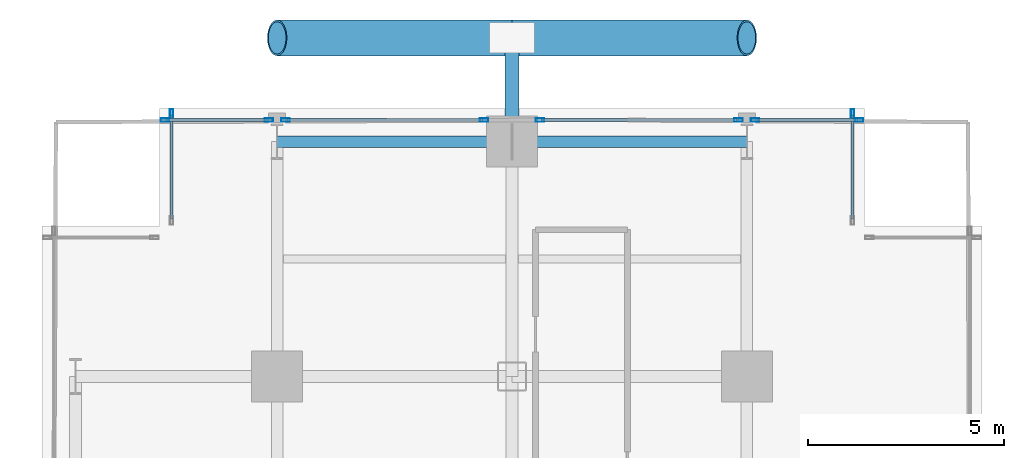
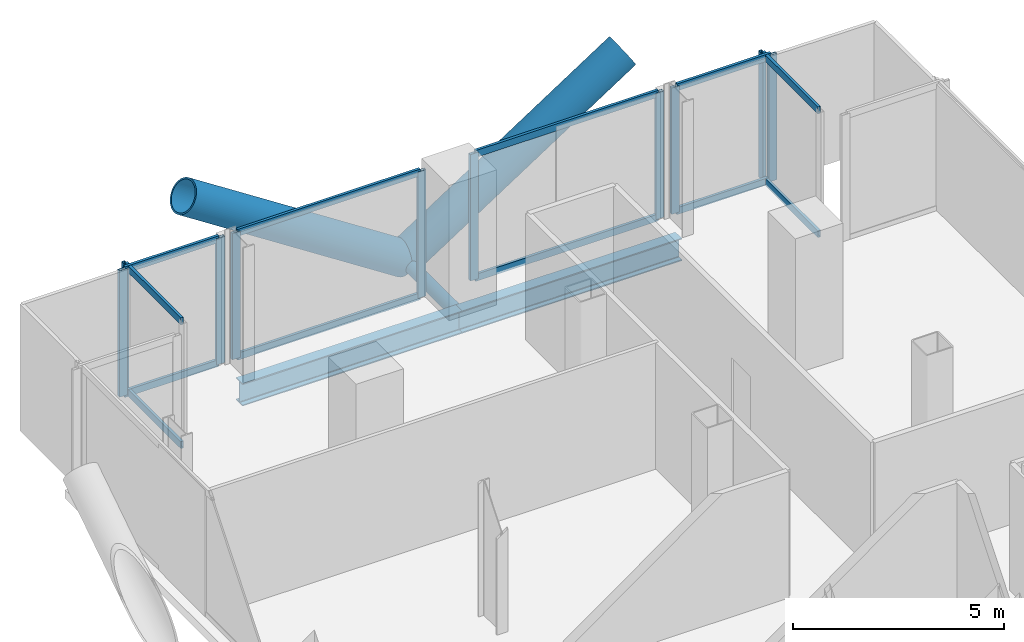
# One storey, part 16 of 25: 25 members, 2 beams, 6 elements without a shape of their own.
"""IFC4 building model written with IfcOpenShell, lengths in metres."""

from ifc_helpers import new_model, si_unit, direction, frame, origin, origin_2d, place, context, subcontext, project, spatial, hollow_rectangle, hollow_circle, i_section, extrude, material, layer, layer_set, material_profile, profile_set, type_object, element, aggregate, save


model = new_model("IFC4")

# Units and contexts
model_context = context("Model", 3, precision=1e-05, world=origin(), true_north=direction((0.0, 1.0)))
body_context = subcontext(model_context, "Body", "Model", "MODEL_VIEW")
ifc_project = project(units=[si_unit("LENGTHUNIT", "METRE"), si_unit("AREAUNIT", "SQUARE_METRE"), si_unit("VOLUMEUNIT", "CUBIC_METRE"), si_unit("PLANEANGLEUNIT", "RADIAN"), si_unit("MASSUNIT", "GRAM", prefix="KILO"), si_unit("THERMODYNAMICTEMPERATUREUNIT", "KELVIN"), si_unit("POWERUNIT", "WATT")], contexts=[model_context])

# Site, building, storey
site_placement = place(None, origin())
site = spatial("IfcSite", under=ifc_project, at=site_placement, CompositionType="ELEMENT")
building_placement = place(site_placement, origin())
building = spatial("IfcBuilding", under=site, at=building_placement, Name="Svarakhadi Broadcast Tower", CompositionType="ELEMENT")
storey_placement = place(building_placement, frame((0.0, 0.0, 36.300048828125)))
storey = spatial("IfcBuildingStorey", under=building, at=storey_placement, Name="L07", CompositionType="ELEMENT", Elevation=36.300048828125)

# Curtain wall, member
ifc_material_1 = material(Name="Anodised Bronze Aluminium AA 6063-T6", Category="aluminium")
ifc_layer = layer(ifc_material_1, 0.219970703125)
ifc_layer_set = layer_set([ifc_layer], Name="Anodised Bronze Aluminium AA 6063-T6")
curtain_wall_type = type_object("IfcCurtainWallType", Name="CW_Sys_02", PredefinedType="NOTDEFINED", material=ifc_layer_set)
curtain_wall_1_placement = place(storey_placement, origin())
curtain_wall_1 = element("IfcCurtainWall", 1, at=curtain_wall_1_placement, inside=storey, type_object=curtain_wall_type, Name="L07 Unitised Facade Curtain Wall 05", PredefinedType="NOTDEFINED")
ifc_material_profile_1 = material_profile(ifc_material_1, hollow_rectangle(XDim=0.0849609375, YDim=0.219970703125, WallThickness=0.006103515625, at=origin_2d()), Name="ALU MULLION 220x85x6")
ifc_profile_set_1 = profile_set([ifc_material_profile_1], Name="Anodised Bronze Aluminium AA 6063-T6")
member_type_1 = type_object("IfcMemberType", Name="CW_Sys_02_Mul", PredefinedType="MULLION", material=ifc_profile_set_1)
member_1_placement = place(storey_placement, frame((3.300048828125, 47.867431640625, 0.0), z_axis=(0.0, 0.0, 1.0), x_axis=(-1.0, 0.0, 0.0)))
member_1 = element("IfcMember", 2, at=member_1_placement, type_object=member_type_1, Name="CW-02 mullion 2", PredefinedType="MULLION", context=body_context, shape_type="SweptSolid", body=[
    extrude(hollow_rectangle(XDim=0.0849609375, YDim=0.219970703125, WallThickness=0.006103515625, at=origin_2d()), origin(), (0.0, 0.0, 1.0), 3.64990234375),
])

# Curtain wall, members
curtain_wall_2_placement = place(storey_placement, origin())
curtain_wall_2 = element("IfcCurtainWall", 3, at=curtain_wall_2_placement, inside=storey, type_object=curtain_wall_type, Name="L07 Unitised Facade Curtain Wall 06 Bay 1", PredefinedType="NOTDEFINED")
member_2_placement = place(storey_placement, frame((3.132568359375, 47.699951171875, 0.0), z_axis=(0.0, 0.0, 1.0), x_axis=(0.0, 1.0, 0.0)))
member_2 = element("IfcMember", 4, at=member_2_placement, type_object=member_type_1, Name="CW-02 mullion 1", PredefinedType="MULLION", context=body_context, shape_type="SweptSolid", body=[
    extrude(hollow_rectangle(XDim=0.0849609375, YDim=0.219970703125, WallThickness=0.006103515625, at=origin_2d()), origin(), (0.0, 0.0, 1.0), 3.64990234375),
])
member_3_placement = place(storey_placement, frame((5.78759765625, 47.699951171875, 0.0), z_axis=(0.0, 0.0, 1.0), x_axis=(0.0, 1.0, 0.0)))
member_3 = element("IfcMember", 5, at=member_3_placement, type_object=member_type_1, Name="CW-02 mullion 2", PredefinedType="MULLION", context=body_context, shape_type="SweptSolid", body=[
    extrude(hollow_rectangle(XDim=0.0849609375, YDim=0.219970703125, WallThickness=0.006103515625, at=origin_2d()), origin(), (0.0, 0.0, 1.0), 3.64990234375),
])

curtain_wall_3_placement = place(storey_placement, origin())
curtain_wall_3 = element("IfcCurtainWall", 6, at=curtain_wall_3_placement, inside=storey, type_object=curtain_wall_type, Name="L07 Unitised Facade Curtain Wall 06 Bay 2", PredefinedType="NOTDEFINED")
member_4_placement = place(storey_placement, frame((6.21240234375, 47.699951171875, 0.0), z_axis=(0.0, 0.0, 1.0), x_axis=(0.0, 1.0, 0.0)))
member_4 = element("IfcMember", 7, at=member_4_placement, type_object=member_type_1, Name="CW-02 mullion 1", PredefinedType="MULLION", context=body_context, shape_type="SweptSolid", body=[
    extrude(hollow_rectangle(XDim=0.0849609375, YDim=0.219970703125, WallThickness=0.006103515625, at=origin_2d()), origin(), (0.0, 0.0, 1.0), 3.64990234375),
])
member_5_placement = place(storey_placement, frame((11.28759765625, 47.699951171875, 0.0), z_axis=(0.0, 0.0, 1.0), x_axis=(0.0, 1.0, 0.0)))
member_5 = element("IfcMember", 8, at=member_5_placement, type_object=member_type_1, Name="CW-02 mullion 2", PredefinedType="MULLION", context=body_context, shape_type="SweptSolid", body=[
    extrude(hollow_rectangle(XDim=0.0849609375, YDim=0.219970703125, WallThickness=0.006103515625, at=origin_2d()), origin(), (0.0, 0.0, 1.0), 3.64990234375),
])

curtain_wall_4_placement = place(storey_placement, origin())
curtain_wall_4 = element("IfcCurtainWall", 9, at=curtain_wall_4_placement, inside=storey, type_object=curtain_wall_type, Name="L07 Unitised Facade Curtain Wall 06 Bay 3", PredefinedType="NOTDEFINED")
member_6_placement = place(storey_placement, frame((12.71240234375, 47.699951171875, 0.0), z_axis=(0.0, 0.0, 1.0), x_axis=(0.0, 1.0, 0.0)))
member_6 = element("IfcMember", 10, at=member_6_placement, type_object=member_type_1, Name="CW-02 mullion 1", PredefinedType="MULLION", context=body_context, shape_type="SweptSolid", body=[
    extrude(hollow_rectangle(XDim=0.0849609375, YDim=0.219970703125, WallThickness=0.006103515625, at=origin_2d()), origin(), (0.0, 0.0, 1.0), 3.64990234375),
])
member_7_placement = place(storey_placement, frame((17.78759765625, 47.699951171875, 0.0), z_axis=(0.0, 0.0, 1.0), x_axis=(0.0, 1.0, 0.0)))
member_7 = element("IfcMember", 11, at=member_7_placement, type_object=member_type_1, Name="CW-02 mullion 2", PredefinedType="MULLION", context=body_context, shape_type="SweptSolid", body=[
    extrude(hollow_rectangle(XDim=0.0849609375, YDim=0.219970703125, WallThickness=0.006103515625, at=origin_2d()), origin(), (0.0, 0.0, 1.0), 3.64990234375),
])

curtain_wall_5_placement = place(storey_placement, origin())
curtain_wall_5 = element("IfcCurtainWall", 12, at=curtain_wall_5_placement, inside=storey, type_object=curtain_wall_type, Name="L07 Unitised Facade Curtain Wall 06 Bay 4", PredefinedType="NOTDEFINED")
member_8_placement = place(storey_placement, frame((18.21240234375, 47.699951171875, 0.0), z_axis=(0.0, 0.0, 1.0), x_axis=(0.0, 1.0, 0.0)))
member_8 = element("IfcMember", 13, at=member_8_placement, type_object=member_type_1, Name="CW-02 mullion 1", PredefinedType="MULLION", context=body_context, shape_type="SweptSolid", body=[
    extrude(hollow_rectangle(XDim=0.0849609375, YDim=0.219970703125, WallThickness=0.006103515625, at=origin_2d()), origin(), (0.0, 0.0, 1.0), 3.64990234375),
])
member_9_placement = place(storey_placement, frame((20.867431640625, 47.699951171875, 0.0), z_axis=(0.0, 0.0, 1.0), x_axis=(0.0, 1.0, 0.0)))
member_9 = element("IfcMember", 14, at=member_9_placement, type_object=member_type_1, Name="CW-02 mullion 2", PredefinedType="MULLION", context=body_context, shape_type="SweptSolid", body=[
    extrude(hollow_rectangle(XDim=0.0849609375, YDim=0.219970703125, WallThickness=0.006103515625, at=origin_2d()), origin(), (0.0, 0.0, 1.0), 3.64990234375),
])

# Curtain wall, member
curtain_wall_6_placement = place(storey_placement, origin())
curtain_wall_6 = element("IfcCurtainWall", 15, at=curtain_wall_6_placement, inside=storey, type_object=curtain_wall_type, Name="L07 Unitised Facade Curtain Wall 07", PredefinedType="NOTDEFINED")
member_10_placement = place(storey_placement, frame((20.699951171875, 47.867431640625, 0.0), z_axis=(0.0, 0.0, 1.0), x_axis=(1.0, 0.0, 0.0)))
member_10 = element("IfcMember", 16, at=member_10_placement, type_object=member_type_1, Name="CW-02 mullion 1", PredefinedType="MULLION", context=body_context, shape_type="SweptSolid", body=[
    extrude(hollow_rectangle(XDim=0.0849609375, YDim=0.219970703125, WallThickness=0.006103515625, at=origin_2d()), origin(), (0.0, 0.0, 1.0), 3.64990234375),
])

# Member
ifc_material_profile_2 = material_profile(ifc_material_1, hollow_rectangle(XDim=0.074951171875, YDim=0.199951171875, WallThickness=0.0048828125, at=origin_2d()), Name="ALU TRANSOM 200x75x5")
ifc_profile_set_2 = profile_set([ifc_material_profile_2], Name="Anodised Bronze Aluminium AA 6063-T6")
member_type_2 = type_object("IfcMemberType", Name="CW_Sys_02_Trn", PredefinedType="USERDEFINED", material=ifc_profile_set_2)
member_11_placement = place(storey_placement, frame((3.300048828125, 45.175048828125, 0.037353515625), z_axis=(0.0, 1.0, 0.0), x_axis=(-1.0, 0.0, 0.0)))
member_11 = element("IfcMember", 17, at=member_11_placement, type_object=member_type_2, Name="CW-02 transom 1.1", ObjectType="TRANSOM", PredefinedType="USERDEFINED", context=body_context, shape_type="SweptSolid", body=[
    extrude(hollow_rectangle(XDim=0.074951171875, YDim=0.199951171875, WallThickness=0.0048828125, at=origin_2d()), origin(), (0.0, 0.0, 1.0), 2.64990234375),
])

member_12_placement = place(storey_placement, frame((3.300048828125, 45.175048828125, 3.612548828125), z_axis=(0.0, 1.0, 0.0), x_axis=(-1.0, 0.0, 0.0)))
member_12 = element("IfcMember", 18, at=member_12_placement, type_object=member_type_2, Name="CW-02 transom 1.2", ObjectType="TRANSOM", PredefinedType="USERDEFINED", context=body_context, shape_type="SweptSolid", body=[
    extrude(hollow_rectangle(XDim=0.074951171875, YDim=0.199951171875, WallThickness=0.0048828125, at=origin_2d()), origin(), (0.0, 0.0, 1.0), 2.64990234375),
])

aggregate(curtain_wall_1, [member_1, member_11, member_12])

member_13_placement = place(storey_placement, frame((3.175048828125, 47.699951171875, 0.037353515625), z_axis=(1.0, 0.0, 0.0), x_axis=(0.0, 1.0, 0.0)))
member_13 = element("IfcMember", 19, at=member_13_placement, type_object=member_type_2, Name="CW-02 transom 1.1", ObjectType="TRANSOM", PredefinedType="USERDEFINED", context=body_context, shape_type="SweptSolid", body=[
    extrude(hollow_rectangle(XDim=0.074951171875, YDim=0.199951171875, WallThickness=0.0048828125, at=origin_2d()), origin(), (0.0, 0.0, 1.0), 2.570068359375),
])

member_14_placement = place(storey_placement, frame((3.175048828125, 47.699951171875, 3.612548828125), z_axis=(1.0, 0.0, 0.0), x_axis=(0.0, 1.0, 0.0)))
member_14 = element("IfcMember", 20, at=member_14_placement, type_object=member_type_2, Name="CW-02 transom 1.2", ObjectType="TRANSOM", PredefinedType="USERDEFINED", context=body_context, shape_type="SweptSolid", body=[
    extrude(hollow_rectangle(XDim=0.074951171875, YDim=0.199951171875, WallThickness=0.0048828125, at=origin_2d()), origin(), (0.0, 0.0, 1.0), 2.570068359375),
])

aggregate(curtain_wall_2, [member_2, member_3, member_13, member_14])

member_15_placement = place(storey_placement, frame((6.2548828125, 47.699951171875, 0.037353515625), z_axis=(1.0, 0.0, 0.0), x_axis=(0.0, 1.0, 0.0)))
member_15 = element("IfcMember", 21, at=member_15_placement, type_object=member_type_2, Name="CW-02 transom 1.1", ObjectType="TRANSOM", PredefinedType="USERDEFINED", context=body_context, shape_type="SweptSolid", body=[
    extrude(hollow_rectangle(XDim=0.074951171875, YDim=0.199951171875, WallThickness=0.0048828125, at=origin_2d()), origin(), (0.0, 0.0, 1.0), 4.990234375),
])

member_16_placement = place(storey_placement, frame((6.2548828125, 47.699951171875, 3.612548828125), z_axis=(1.0, 0.0, 0.0), x_axis=(0.0, 1.0, 0.0)))
member_16 = element("IfcMember", 22, at=member_16_placement, type_object=member_type_2, Name="CW-02 transom 1.2", ObjectType="TRANSOM", PredefinedType="USERDEFINED", context=body_context, shape_type="SweptSolid", body=[
    extrude(hollow_rectangle(XDim=0.074951171875, YDim=0.199951171875, WallThickness=0.0048828125, at=origin_2d()), origin(), (0.0, 0.0, 1.0), 4.990234375),
])

aggregate(curtain_wall_3, [member_4, member_5, member_15, member_16])

member_17_placement = place(storey_placement, frame((12.7548828125, 47.699951171875, 0.037353515625), z_axis=(1.0, 0.0, 0.0), x_axis=(0.0, 1.0, 0.0)))
member_17 = element("IfcMember", 23, at=member_17_placement, type_object=member_type_2, Name="CW-02 transom 1.1", ObjectType="TRANSOM", PredefinedType="USERDEFINED", context=body_context, shape_type="SweptSolid", body=[
    extrude(hollow_rectangle(XDim=0.074951171875, YDim=0.199951171875, WallThickness=0.0048828125, at=origin_2d()), origin(), (0.0, 0.0, 1.0), 4.990234375),
])

member_18_placement = place(storey_placement, frame((12.7548828125, 47.699951171875, 3.612548828125), z_axis=(1.0, 0.0, 0.0), x_axis=(0.0, 1.0, 0.0)))
member_18 = element("IfcMember", 24, at=member_18_placement, type_object=member_type_2, Name="CW-02 transom 1.2", ObjectType="TRANSOM", PredefinedType="USERDEFINED", context=body_context, shape_type="SweptSolid", body=[
    extrude(hollow_rectangle(XDim=0.074951171875, YDim=0.199951171875, WallThickness=0.0048828125, at=origin_2d()), origin(), (0.0, 0.0, 1.0), 4.990234375),
])

aggregate(curtain_wall_4, [member_6, member_7, member_17, member_18])

member_19_placement = place(storey_placement, frame((18.2548828125, 47.699951171875, 0.037353515625), z_axis=(1.0, 0.0, 0.0), x_axis=(0.0, 1.0, 0.0)))
member_19 = element("IfcMember", 25, at=member_19_placement, type_object=member_type_2, Name="CW-02 transom 1.1", ObjectType="TRANSOM", PredefinedType="USERDEFINED", context=body_context, shape_type="SweptSolid", body=[
    extrude(hollow_rectangle(XDim=0.074951171875, YDim=0.199951171875, WallThickness=0.0048828125, at=origin_2d()), origin(), (0.0, 0.0, 1.0), 2.570068359375),
])

member_20_placement = place(storey_placement, frame((18.2548828125, 47.699951171875, 3.612548828125), z_axis=(1.0, 0.0, 0.0), x_axis=(0.0, 1.0, 0.0)))
member_20 = element("IfcMember", 26, at=member_20_placement, type_object=member_type_2, Name="CW-02 transom 1.2", ObjectType="TRANSOM", PredefinedType="USERDEFINED", context=body_context, shape_type="SweptSolid", body=[
    extrude(hollow_rectangle(XDim=0.074951171875, YDim=0.199951171875, WallThickness=0.0048828125, at=origin_2d()), origin(), (0.0, 0.0, 1.0), 2.570068359375),
])

aggregate(curtain_wall_5, [member_8, member_9, member_19, member_20])

member_21_placement = place(storey_placement, frame((20.699951171875, 47.824951171875, 0.037353515625), z_axis=(0.0, -1.0, 0.0), x_axis=(1.0, 0.0, 0.0)))
member_21 = element("IfcMember", 27, at=member_21_placement, type_object=member_type_2, Name="CW-02 transom 1.1", ObjectType="TRANSOM", PredefinedType="USERDEFINED", context=body_context, shape_type="SweptSolid", body=[
    extrude(hollow_rectangle(XDim=0.074951171875, YDim=0.199951171875, WallThickness=0.0048828125, at=origin_2d()), origin(), (0.0, 0.0, 1.0), 2.64990234375),
])

member_22_placement = place(storey_placement, frame((20.699951171875, 47.824951171875, 3.612548828125), z_axis=(0.0, -1.0, 0.0), x_axis=(1.0, 0.0, 0.0)))
member_22 = element("IfcMember", 28, at=member_22_placement, type_object=member_type_2, Name="CW-02 transom 1.2", ObjectType="TRANSOM", PredefinedType="USERDEFINED", context=body_context, shape_type="SweptSolid", body=[
    extrude(hollow_rectangle(XDim=0.074951171875, YDim=0.199951171875, WallThickness=0.0048828125, at=origin_2d()), origin(), (0.0, 0.0, 1.0), 2.64990234375),
])

aggregate(curtain_wall_6, [member_10, member_21, member_22])

# Members
ifc_material_2 = material(Name="Steel S460ML (IS 2062 E450BR)", Category="steel")
ifc_material_profile_3 = material_profile(ifc_material_2, hollow_circle(Radius=0.45703125, WallThickness=0.044921875, at=origin_2d()), Name="CHS 914x45")
ifc_profile_set_3 = profile_set([ifc_material_profile_3], Name="Steel S460ML (IS 2062 E450BR)")
member_type_3 = type_object("IfcMemberType", Name="Exo_Brace_CHS914", PredefinedType="BRACE", material=ifc_profile_set_3)
for number, where, z_axis, x_axis, name in (
    (29, (12.0, 49.800048828125, -0.427734375), (-0.838449851971, 0.0, 0.544978757136), (0.0, -1.0, 0.0), "L07 Exposed Bronze Exoskeleton Diagonal N10"),
    (30, (12.0, 49.800048828125, -0.427734375), (0.838449851971, 0.0, 0.544978757136), (0.0, 1.0, 0.0), "L07 Exposed Bronze Exoskeleton Diagonal N11"),
):
    element("IfcMember", number, at=place(storey_placement, frame(where, z_axis=z_axis, x_axis=x_axis)), inside=storey, type_object=member_type_3, Name=name, PredefinedType="BRACE", context=body_context, shape_type="SweptSolid", body=[
        extrude(hollow_circle(Radius=0.45703125, WallThickness=0.044921875, at=origin_2d()), origin(), (0.0, 0.0, 1.0), 7.156005859375),
    ])
ifc_material_profile_4 = material_profile(ifc_material_2, hollow_circle(Radius=0.177734375, WallThickness=0.02001953125, at=origin_2d()), Name="CHS 355.6x20")
ifc_profile_set_4 = profile_set([ifc_material_profile_4], Name="Steel S460ML (IS 2062 E450BR)")
member_type_4 = type_object("IfcMemberType", Name="Exo_Radial_Strut_Z1", PredefinedType="STRUT", material=ifc_profile_set_4)
member_23_placement = place(storey_placement, frame((12.0, 49.800048828125, -0.427734375), z_axis=(0.0, -1.0, 0.0), x_axis=(1.0, 0.0, 0.0)))
element("IfcMember", 31, at=member_23_placement, inside=storey, type_object=member_type_4, Name="L07 Exoskeleton Radial Tie Strut N07", PredefinedType="STRUT", context=body_context, shape_type="SweptSolid", body=[
    extrude(hollow_circle(Radius=0.177734375, WallThickness=0.02001953125, at=origin_2d()), origin(), (0.0, 0.0, 1.0), 2.650146484375),
])

# Beams
ifc_material_3 = material(Name="Steel S355J2 (IS 2062 E350C)", Category="steel")
ifc_material_profile_5 = material_profile(ifc_material_3, i_section(OverallWidth=0.300048828125, OverallDepth=0.64990234375, WebThickness=0.01611328125, FlangeThickness=0.031005859375, FilletRadius=0.027099609375, at=origin_2d()), Name="WPB 650x300x225")
ifc_profile_set_5 = profile_set([ifc_material_profile_5], Name="Steel S355J2 (IS 2062 E350C)")
beam_type = type_object("IfcBeamType", Name="Girder_WPB650", PredefinedType="USERDEFINED", material=ifc_profile_set_5)
for number, where, z_axis, x_axis, name in (
    (32, (6.0, 47.14990234375, -0.574951171875), (1.0, 0.0, 0.0), (0.0, 1.0, 0.0), "L07 Primary E-W Girder G043"),
    (33, (12.0, 47.14990234375, -0.574951171875), (1.0, 0.0, 0.0), (0.0, 1.0, 0.0), "L07 Primary E-W Girder G044"),
):
    element("IfcBeam", number, at=place(storey_placement, frame(where, z_axis=z_axis, x_axis=x_axis)), inside=storey, type_object=beam_type, Name=name, ObjectType="GIRDER", PredefinedType="USERDEFINED", context=body_context, shape_type="SweptSolid", body=[
        extrude(i_section(OverallWidth=0.300048828125, OverallDepth=0.64990234375, WebThickness=0.01611328125, FlangeThickness=0.031005859375, FilletRadius=0.027099609375, at=origin_2d()), origin(), (0.0, 0.0, 1.0), 6.0),
    ])

save(model, "model.ifc")
